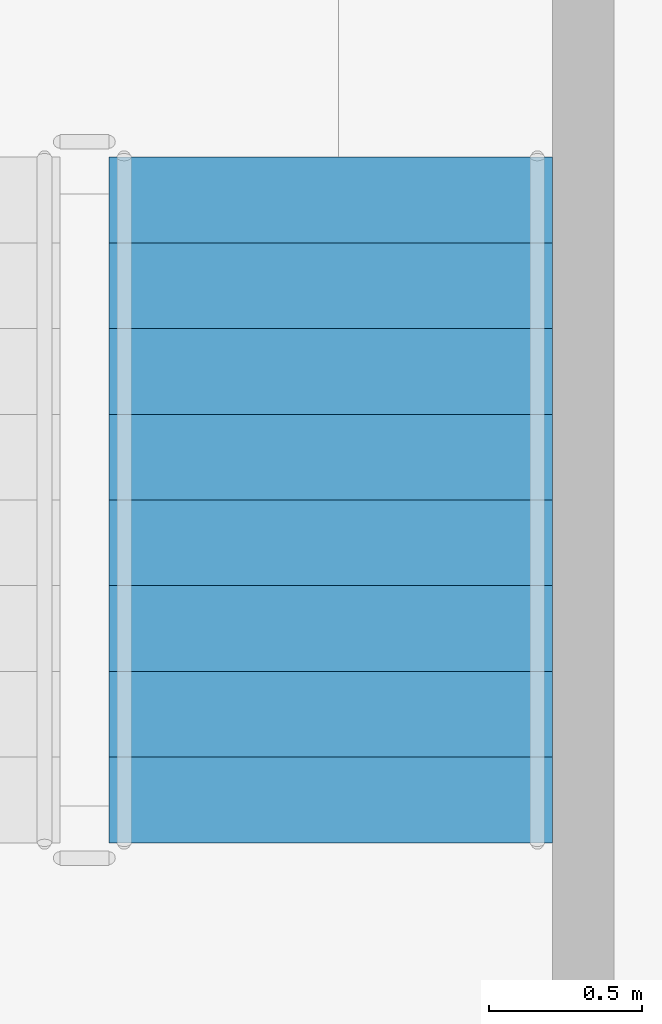
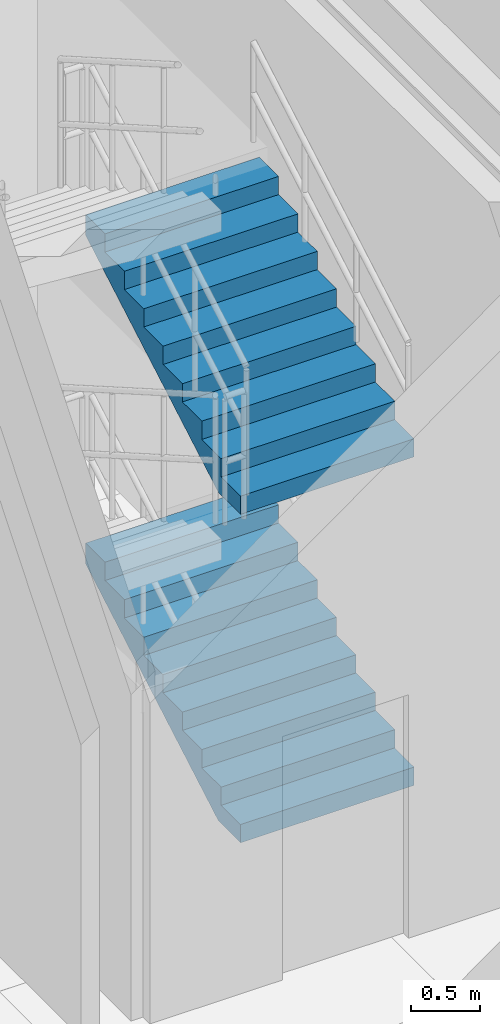
# One storey, part 10 of 15: 2 stair flights, 1 element without a shape of its own.
"""IFC4 building model written with IfcOpenShell, lengths in metres."""

from ifc_helpers import new_model, si_unit, direction, frame, origin, place, context, subcontext, project, spatial, polyline, outline, extrude, material, layer, layer_set, type_object, element, aggregate, save


model = new_model("IFC4")

# Units and contexts
model_context = context("Model", 3, precision=1e-05, world=origin(), true_north=direction((0.0, 1.0)))
body_context = subcontext(model_context, "Body", "Model", "MODEL_VIEW")
ifc_project = project(units=[si_unit("LENGTHUNIT", "METRE"), si_unit("AREAUNIT", "SQUARE_METRE"), si_unit("VOLUMEUNIT", "CUBIC_METRE"), si_unit("PLANEANGLEUNIT", "RADIAN"), si_unit("MASSUNIT", "GRAM", prefix="KILO")], contexts=[model_context])

# Site, building, storey
site_placement = place(None, origin())
site = spatial("IfcSite", under=ifc_project, at=site_placement, CompositionType="ELEMENT")
building_placement = place(site_placement, origin())
building = spatial("IfcBuilding", under=site, at=building_placement, Name="Talar Marvaseh", CompositionType="ELEMENT")
storey_placement = place(building_placement, frame((0.0, 0.0, -11.60009765625)))
storey = spatial("IfcBuildingStorey", under=building, at=storey_placement, Name="B02", CompositionType="ELEMENT", Elevation=-11.60009765625)

# Stair, stair flights
ifc_material = material(Name="Concrete C40/50", Category="concrete")
stair_type = type_object("IfcStairType", Name="Reinforced Concrete Half-Turn Exit Stair Type A", PredefinedType="HALF_TURN_STAIR", material=ifc_material)
stair_placement = place(storey_placement, origin())
stair = element("IfcStair", 1, at=stair_placement, inside=storey, type_object=stair_type, Name="B02 Market Hall South-East Exit Stair", PredefinedType="HALF_TURN_STAIR")
ifc_layer = layer(ifc_material, 0.18505859375)
ifc_layer_set = layer_set([ifc_layer], Name="Concrete C40/50")
stair_flight_type = type_object("IfcStairFlightType", Name="Reinforced Concrete Heavy Podium Stair Flight 185", PredefinedType="STRAIGHT", material=ifc_layer_set)
stair_flight_1_placement = place(storey_placement, frame((76.074951171875, 19.64990234375, 0.0), z_axis=(0.0, 0.0, 1.0), x_axis=(0.0, 1.0, 0.0)))
stair_flight_1 = element("IfcStairFlight", 2, at=stair_flight_1_placement, type_object=stair_flight_type, Name="MH-ST2 flight 1", NumberOfRisers=9, NumberOfTreads=8, PredefinedType="STRAIGHT", RiserHeight=0.161111111, TreadLength=0.28, context=body_context, shape_type="SweptSolid", body=[
    extrude(outline(polyline([(0.0, 0.0), (0.0, 0.1611328125), (0.280029296875, 0.1611328125), (0.280029296875, 0.322265625), (0.56005859375, 0.322265625), (0.56005859375, 0.4833984375), (0.840087890625, 0.4833984375), (0.840087890625, 0.64453125), (1.1201171875, 0.64453125), (1.1201171875, 0.8056640625), (1.39990234375, 0.8056640625), (1.39990234375, 0.966552734375), (1.679931640625, 0.966552734375), (1.679931640625, 1.127685546875), (1.9599609375, 1.127685546875), (1.9599609375, 1.288818359375), (2.239990234375, 1.288818359375), (2.239990234375, 1.449951171875), (2.239990234375, 1.1044921875), (0.320556640625, 0.0), (0.0, 0.0)])), frame((0.0, 0.72509765625, 0.0), z_axis=(0.0, -1.0, 0.0), x_axis=(1.0, 0.0, 0.0)), (0.0, 0.0, 1.0), 1.449951171875),
])
stair_flight_2_placement = place(storey_placement, frame((76.074951171875, 19.64990234375, 2.900146484375), z_axis=(0.0, 0.0, 1.0), x_axis=(0.0, 1.0, 0.0)))
stair_flight_2 = element("IfcStairFlight", 3, at=stair_flight_2_placement, type_object=stair_flight_type, Name="MH-ST2 flight 3", NumberOfRisers=9, NumberOfTreads=8, PredefinedType="STRAIGHT", RiserHeight=0.161111111, TreadLength=0.28, context=body_context, shape_type="SweptSolid", body=[
    extrude(outline(polyline([(0.0, 0.0), (0.0, 0.1611328125), (0.280029296875, 0.1611328125), (0.280029296875, 0.322265625), (0.56005859375, 0.322265625), (0.56005859375, 0.4833984375), (0.840087890625, 0.4833984375), (0.840087890625, 0.64453125), (1.1201171875, 0.64453125), (1.1201171875, 0.8056640625), (1.39990234375, 0.8056640625), (1.39990234375, 0.966552734375), (1.679931640625, 0.966552734375), (1.679931640625, 1.127685546875), (1.9599609375, 1.127685546875), (1.9599609375, 1.288818359375), (2.239990234375, 1.288818359375), (2.239990234375, 1.449951171875), (2.239990234375, 1.1044921875), (0.320556640625, 0.0), (0.0, 0.0)])), frame((0.0, 0.72509765625, 0.0), z_axis=(0.0, -1.0, 0.0), x_axis=(1.0, 0.0, 0.0)), (0.0, 0.0, 1.0), 1.449951171875),
])
aggregate(stair, [stair_flight_1, stair_flight_2])

save(model, "model.ifc")
